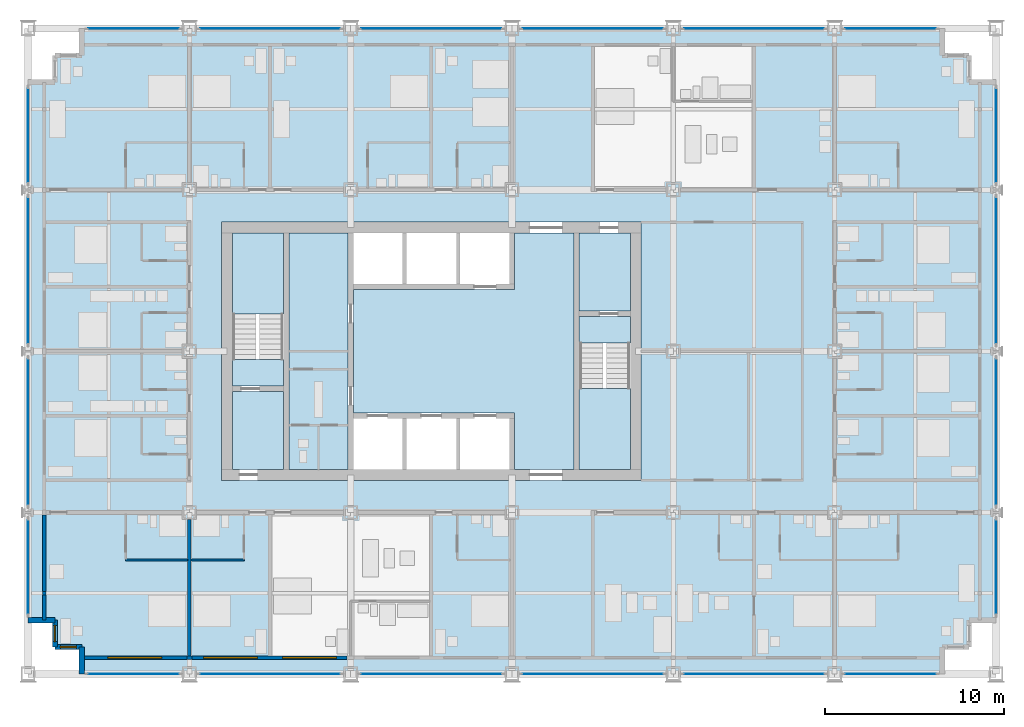
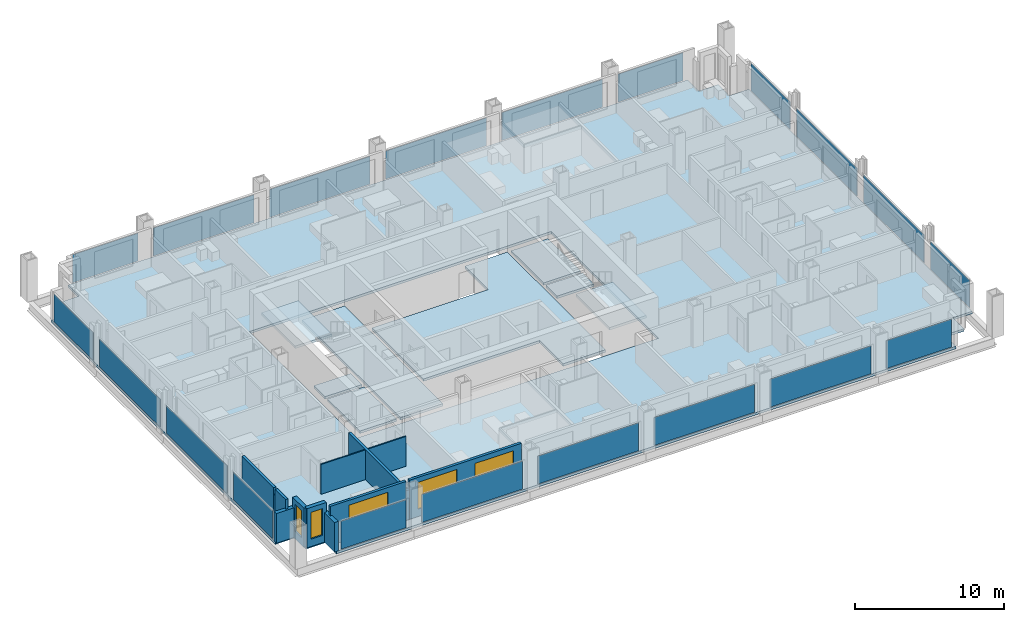
# One storey, part 9 of 18: 20 plates, 13 walls, 9 slabs, 5 windows, 5 openings, 22 elements without a shape of their own.
"""IFC4 building model written with IfcOpenShell, lengths in metres."""

import ifcopenshell
import ifcopenshell.guid

model = None  # the IFC model being written
_history = None  # IfcOwnerHistory: only IFC2X3 demands one
_inside = {}  # id of a spatial element -> (the spatial element, [elements in it])
_under = {}  # id of a project, library or spatial element -> (it, [spatial elements below it])
_declared = {}  # id of a project -> (the project, [libraries it declares])
_typed = {}  # id of a type object -> (the type object, [elements of that type])
_made_of = {}  # id of a material, layer set ... -> (it, [elements and type objects made of it])


def new_model(schema):
    """Start an empty IFC model of exactly this schema.

    Asked for "IFC4X3", IfcOpenShell would pick the latest addendum, in which some entities
    have other attributes; the version numbers below select the first issue.
    IFC2X3 requires an IfcOwnerHistory on every rooted entity: one is made here for all.
    """
    global model, _history
    if schema == "IFC4X3":
        model = ifcopenshell.file(schema_version=(4, 3, 0, 0))
    else:
        model = ifcopenshell.file(schema=schema)
    _inside.clear()
    _under.clear()
    _declared.clear()
    _typed.clear()
    _made_of.clear()
    _history = None
    if model.schema == "IFC2X3":
        org = make("IfcOrganization", Name="unknown")
        user = make(
            "IfcPersonAndOrganization",
            ThePerson=make("IfcPerson", FamilyName="unknown"),
            TheOrganization=org,
        )
        app = make(
            "IfcApplication",
            ApplicationDeveloper=org,
            Version="unknown",
            ApplicationFullName="unknown",
            ApplicationIdentifier="unknown",
        )
        _history = make(
            "IfcOwnerHistory",
            OwningUser=user,
            OwningApplication=app,
            ChangeAction="ADDED",
            CreationDate=0,
        )
    return model


def make(cls, **values):
    """One entity of the class cls with the attributes given. An attribute that is None is left unset."""
    return model.create_entity(
        cls, **{name: value for name, value in values.items() if value is not None}
    )


def rooted(cls, **values):
    """An entity with a GlobalId (a new one), such as an element, a storey or a relation."""
    return make(cls, GlobalId=ifcopenshell.guid.new(), OwnerHistory=_history, **values)


def si_unit(unit_type, name, prefix=None):
    """IfcSIUnit, for example si_unit("LENGTHUNIT", "METRE", prefix="MILLI")."""
    return make("IfcSIUnit", UnitType=unit_type, Prefix=prefix, Name=name)


def assignment(units):
    """IfcUnitAssignment: the units of a project."""
    return None if units is None else make("IfcUnitAssignment", Units=units)


def point(xyz):
    """IfcCartesianPoint."""
    return None if xyz is None else make("IfcCartesianPoint", Coordinates=xyz)


def direction(xyz):
    """IfcDirection."""
    return None if xyz is None else make("IfcDirection", DirectionRatios=xyz)


def frame(location, z_axis=None, x_axis=None):
    """IfcAxis2Placement3D, a coordinate frame: its origin and axes. An axis left out is left unset."""
    return make(
        "IfcAxis2Placement3D",
        Location=point(location),
        Axis=direction(z_axis),
        RefDirection=direction(x_axis),
    )


def frame_2d(location, x_axis=None):
    """IfcAxis2Placement2D, a coordinate frame in the plane: its origin and x axis."""
    return make(
        "IfcAxis2Placement2D", Location=point(location), RefDirection=direction(x_axis)
    )


def origin():
    """The frame at (0, 0, 0) with its axes left unset."""
    return frame((0.0, 0.0, 0.0))


def origin_2d():
    """The frame at (0, 0) in the plane with its x axis left unset."""
    return frame_2d((0.0, 0.0))


def place(relative_to, where):
    """IfcLocalPlacement: puts the frame where relative to a parent placement (None: the world)."""
    return make(
        "IfcLocalPlacement", PlacementRelTo=relative_to, RelativePlacement=where
    )


def context(
    kind, dimensions, precision=None, world=None, true_north=None, identifier=None
):
    """IfcGeometricRepresentationContext, for example the 3D "Model" context."""
    return make(
        "IfcGeometricRepresentationContext",
        ContextIdentifier=identifier,
        ContextType=kind,
        CoordinateSpaceDimension=dimensions,
        Precision=precision,
        WorldCoordinateSystem=world,
        TrueNorth=true_north,
    )


def subcontext(parent, identifier, kind, view, scale=None):
    """IfcGeometricRepresentationSubContext, for example "Body" below "Model"."""
    return make(
        "IfcGeometricRepresentationSubContext",
        ContextIdentifier=identifier,
        ContextType=kind,
        ParentContext=parent,
        TargetScale=scale,
        TargetView=view,
    )


def project(units=None, contexts=None):
    """IfcProject with its units and contexts."""
    return rooted(
        "IfcProject",
        Name="project",
        RepresentationContexts=contexts,
        UnitsInContext=assignment(units),
    )


def spatial(cls, under=None, at=None, **own):
    """A site, building, storey or space (cls), placed at a placement, below another one or the project."""
    s = rooted(cls, ObjectPlacement=at, **own)
    if under is not None:
        _under.setdefault(under.id(), (under, []))[1].append(s)
    return s


def polyline(points):
    """IfcPolyline through the points."""
    return make("IfcPolyline", Points=[point(p) for p in points])


def profile(cls, at=None, kind="AREA", **sizes):
    """A parametric profile (cls). Its sizes go by their IFC names, for example OverallWidth=200.0."""
    return make(cls, ProfileType=kind, Position=at, **sizes)


def rectangle(**sizes):
    """IfcRectangleProfileDef."""
    return profile("IfcRectangleProfileDef", **sizes)


def outline(outer, holes=None, kind="AREA"):
    """IfcArbitraryClosedProfileDef: a profile drawn as a closed curve; with holes, ...WithVoids."""
    if holes is None:
        return make("IfcArbitraryClosedProfileDef", ProfileType=kind, OuterCurve=outer)
    return make(
        "IfcArbitraryProfileDefWithVoids",
        ProfileType=kind,
        OuterCurve=outer,
        InnerCurves=holes,
    )


def extrude(swept, where, along, depth):
    """IfcExtrudedAreaSolid: the profile swept, set in the frame where, extruded along a direction by depth."""
    return make(
        "IfcExtrudedAreaSolid",
        SweptArea=swept,
        Position=where,
        ExtrudedDirection=direction(along),
        Depth=depth,
    )


def shape(context_of_items, identifier, shape_type, items):
    """IfcShapeRepresentation: the items that make up one representation, for example the "Body"."""
    return make(
        "IfcShapeRepresentation",
        ContextOfItems=context_of_items,
        RepresentationIdentifier=identifier,
        RepresentationType=shape_type,
        Items=items,
    )


def material(Name=None, Category=None):
    """IfcMaterial."""
    return make("IfcMaterial", Name=Name, Category=Category)


def layer(
    of_material, thickness, ventilated=None, Name=None, Category=None, Priority=None
):
    """IfcMaterialLayer: one layer of a wall or slab, of a material (None: an air gap)."""
    return make(
        "IfcMaterialLayer",
        Material=of_material,
        LayerThickness=thickness,
        IsVentilated=ventilated,
        Name=Name,
        Category=Category,
        Priority=Priority,
    )


def layer_set(layers, Name=None):
    """IfcMaterialLayerSet."""
    return make("IfcMaterialLayerSet", MaterialLayers=layers, LayerSetName=Name)


def made_of(thing, what):
    """Note that an element or type object is made of a material, layer set ...; save() writes the relation."""
    if what is not None:
        _made_of.setdefault(what.id(), (what, []))[1].append(thing)
    return thing


def type_object(cls, material=None, **own):
    """A type object (cls), such as IfcWallType, which elements share."""
    return made_of(rooted(cls, **own), material)


def element(
    cls,
    number,
    at=None,
    inside=None,
    cuts=None,
    type_object=None,
    material=None,
    context=None,
    identifier="Body",
    shape_type=None,
    held_by="IfcProductDefinitionShape",
    body=None,
    shapes=None,
    **own,
):
    """One element of the class cls, such as IfcWall. Its Tag is "e" and its number.

    at: its placement. inside: the storey or other place that contains it. cuts: it is an
    opening in that element (IfcRelVoidsElement). A single representation is given by context,
    identifier, shape_type and body (its items); several are given by shapes. held_by: the class
    of the entity that holds the representations. save() writes the other relations.
    """
    e = rooted(cls, Tag="e%d" % number, ObjectPlacement=at, **own)
    if body is not None:
        shapes = [shape(context, identifier, shape_type, body)]
    if shapes is not None:
        e.Representation = make(held_by, Representations=shapes)
    if inside is not None:
        _inside.setdefault(inside.id(), (inside, []))[1].append(e)
    if cuts is not None:
        rooted(
            "IfcRelVoidsElement", RelatingBuildingElement=cuts, RelatedOpeningElement=e
        )
    if type_object is not None:
        _typed.setdefault(type_object.id(), (type_object, []))[1].append(e)
    return made_of(e, material)


def fill(opening, filler):
    """IfcRelFillsElement: the door or window that sits in an opening."""
    return rooted(
        "IfcRelFillsElement",
        RelatingOpeningElement=opening,
        RelatedBuildingElement=filler,
    )


def aggregate(whole, parts):
    """IfcRelAggregates: a whole, such as a stair, and the parts it consists of."""
    return rooted("IfcRelAggregates", RelatingObject=whole, RelatedObjects=parts)


def save(model, path):
    """Write the relations noted so far, then the file.

    IfcRelAggregates (storeys below a building ...), IfcRelContainedInSpatialStructure (elements
    in a storey), IfcRelDefinesByType, IfcRelAssociatesMaterial and IfcRelDeclares: one each for
    every whole, place, type object, material and project.
    """
    for whole, parts in _under.values():
        aggregate(whole, parts)
    for where, things in _inside.values():
        rooted(
            "IfcRelContainedInSpatialStructure",
            RelatedElements=things,
            RelatingStructure=where,
        )
    for kind, things in _typed.values():
        rooted("IfcRelDefinesByType", RelatedObjects=things, RelatingType=kind)
    for what, things in _made_of.values():
        rooted("IfcRelAssociatesMaterial", RelatedObjects=things, RelatingMaterial=what)
    for by, libraries in _declared.values():
        rooted("IfcRelDeclares", RelatingContext=by, RelatedDefinitions=libraries)
    model.write(path)


model = new_model("IFC4")

# Units and contexts
model_context = context("Model", 3, precision=1e-05, world=origin(), true_north=direction((0.0, 1.0)))
body_context = subcontext(model_context, "Body", "Model", "MODEL_VIEW")
ifc_project = project(units=[si_unit("LENGTHUNIT", "METRE"), si_unit("AREAUNIT", "SQUARE_METRE"), si_unit("VOLUMEUNIT", "CUBIC_METRE"), si_unit("PLANEANGLEUNIT", "RADIAN"), si_unit("MASSUNIT", "GRAM", prefix="KILO")], contexts=[model_context])

# Site, building, storey
site_placement = place(None, origin())
site = spatial("IfcSite", under=ifc_project, at=site_placement, CompositionType="ELEMENT")
building_placement = place(site_placement, origin())
building = spatial("IfcBuilding", under=site, at=building_placement, Name="Loomwork Tower", CompositionType="ELEMENT")
storey_placement = place(building_placement, frame((0.0, 0.0, 51.800048828125)))
storey = spatial("IfcBuildingStorey", under=building, at=storey_placement, Name="L12", CompositionType="ELEMENT", Elevation=51.800048828125)

# Slabs
ifc_material_1 = material(Name="Concrete 5000 psi (34 MPa) on composite metal deck", Category="concrete")
ifc_layer_1 = layer(ifc_material_1, 0.199951171875)
ifc_layer_set_1 = layer_set([ifc_layer_1], Name="Floor slab 200")
slab_type_1 = type_object("IfcSlabType", Name="Floor slab 200", PredefinedType="FLOOR", material=ifc_layer_set_1)
slab_1_placement = place(storey_placement, frame((0.0, 0.0, -0.199951171875)))
element("IfcSlab", 1, at=slab_1_placement, inside=storey, type_object=slab_type_1, Name="Floor slab L12", PredefinedType="FLOOR", context=body_context, shape_type="SweptSolid", body=[
    extrude(outline(polyline([(3.0, 1.5), (1.5, 1.5), (1.5, 3.0), (0.0, 3.0), (0.0, 33.0), (1.5, 33.0), (1.5, 34.5), (3.0, 34.5), (3.0, 36.0), (51.0, 36.0), (51.0, 34.5), (52.5, 34.5), (52.5, 33.0), (54.0, 33.0), (54.0, 3.0), (52.5, 3.0), (52.5, 1.5), (51.0, 1.5), (51.0, 0.0), (3.0, 0.0), (3.0, 1.5)]), holes=[polyline([(10.800048828125, 11.39990234375), (10.800048828125, 11.39990234375), (10.800048828125, 10.800048828125), (34.199951171875, 10.800048828125), (34.199951171875, 11.39990234375), (34.199951171875, 11.39990234375), (34.199951171875, 24.60009765625), (34.199951171875, 25.199951171875), (10.800048828125, 25.199951171875), (10.800048828125, 24.60009765625), (10.800048828125, 11.39990234375)])]), origin(), (0.0, 0.0, 1.0), 0.199951171875),
])
slab_2_placement = place(storey_placement, frame((0.0, 0.0, -0.199951171875)))
element("IfcSlab", 2, at=slab_2_placement, inside=storey, type_object=slab_type_1, Name="Floor slab L12", PredefinedType="FLOOR", context=body_context, shape_type="SweptSolid", body=[
    extrude(outline(polyline([(30.449951171875, 24.60009765625), (30.449951171875, 11.39990234375), (27.14990234375, 11.39990234375), (27.14990234375, 14.25), (27.14990234375, 14.550048828125), (18.14990234375, 14.550048828125), (18.14990234375, 21.449951171875), (27.14990234375, 21.449951171875), (27.14990234375, 21.75), (27.14990234375, 24.60009765625), (30.449951171875, 24.60009765625)])), origin(), (0.0, 0.0, 1.0), 0.199951171875),
])
slab_3_placement = place(storey_placement, frame((0.0, 0.0, -0.199951171875)))
element("IfcSlab", 3, at=slab_3_placement, inside=storey, type_object=slab_type_1, Name="Floor slab L12", PredefinedType="FLOOR", context=body_context, shape_type="SweptSolid", body=[
    extrude(outline(polyline([(14.550048828125, 11.39990234375), (14.550048828125, 24.60009765625), (17.85009765625, 24.60009765625), (17.85009765625, 11.39990234375), (14.550048828125, 11.39990234375)])), origin(), (0.0, 0.0, 1.0), 0.199951171875),
])
slab_4_placement = place(storey_placement, frame((0.0, 0.0, -0.199951171875)))
element("IfcSlab", 4, at=slab_4_placement, inside=storey, type_object=slab_type_1, Name="Floor slab L12", PredefinedType="FLOOR", context=body_context, shape_type="SweptSolid", body=[
    extrude(outline(polyline([(33.60009765625, 20.25), (30.75, 20.25), (30.75, 24.60009765625), (33.60009765625, 24.60009765625), (33.60009765625, 20.25)])), origin(), (0.0, 0.0, 1.0), 0.199951171875),
])
slab_5_placement = place(storey_placement, frame((0.0, 0.0, -0.199951171875)))
element("IfcSlab", 5, at=slab_5_placement, inside=storey, type_object=slab_type_1, Name="Floor slab L12", PredefinedType="FLOOR", context=body_context, shape_type="SweptSolid", body=[
    extrude(outline(polyline([(14.25, 15.75), (14.25, 11.39990234375), (11.39990234375, 11.39990234375), (11.39990234375, 15.75), (14.25, 15.75)])), origin(), (0.0, 0.0, 1.0), 0.199951171875),
])

# Curtain wall, plate
ifc_material_2 = material(Name="Aluminium curtain wall frame", Category="aluminium")
curtain_wall_type = type_object("IfcCurtainWallType", Name="Outer skin glazing hotel", PredefinedType="NOTDEFINED", material=ifc_material_2)
curtain_wall_1_placement = place(storey_placement, origin())
curtain_wall_1 = element("IfcCurtainWall", 6, at=curtain_wall_1_placement, inside=storey, type_object=curtain_wall_type, Name="Outer skin glazing hotel cw/S-0", PredefinedType="NOTDEFINED")
ifc_material_3 = material(Name="Clear laminated glass", Category="glass")
ifc_layer_2 = layer(ifc_material_3, 0.02392578125)
ifc_layer_set_2 = layer_set([ifc_layer_2], Name="Outer skin glazing hotel panel")
plate_type = type_object("IfcPlateType", Name="Outer skin glazing hotel panel", PredefinedType="CURTAIN_PANEL", material=ifc_layer_set_2)
plate_1_placement = place(storey_placement, frame((5.875, 0.0, 0.06494140625), z_axis=(0.0, 0.0, 1.0), x_axis=(1.0, 0.0, 0.0)))
plate_1 = element("IfcPlate", 7, at=plate_1_placement, type_object=plate_type, Name="CW1 panel 1.1", PredefinedType="CURTAIN_PANEL", context=body_context, shape_type="SweptSolid", body=[
    extrude(rectangle(XDim=5.050048828125, YDim=0.02392578125, at=origin_2d()), origin(), (0.0, 0.0, 1.0), 2.290283203125),
])
aggregate(curtain_wall_1, [plate_1])

curtain_wall_2_placement = place(storey_placement, origin())
curtain_wall_2 = element("IfcCurtainWall", 8, at=curtain_wall_2_placement, inside=storey, type_object=curtain_wall_type, Name="Outer skin glazing hotel cw/S-9", PredefinedType="NOTDEFINED")
plate_2_placement = place(storey_placement, frame((13.5, 0.0, 0.06494140625), z_axis=(0.0, 0.0, 1.0), x_axis=(1.0, 0.0, 0.0)))
plate_2 = element("IfcPlate", 9, at=plate_2_placement, type_object=plate_type, Name="CW1 panel 1.1", PredefinedType="CURTAIN_PANEL", context=body_context, shape_type="SweptSolid", body=[
    extrude(rectangle(XDim=7.800048828125, YDim=0.02392578125, at=origin_2d()), origin(), (0.0, 0.0, 1.0), 2.290283203125),
])
aggregate(curtain_wall_2, [plate_2])

curtain_wall_3_placement = place(storey_placement, origin())
curtain_wall_3 = element("IfcCurtainWall", 10, at=curtain_wall_3_placement, inside=storey, type_object=curtain_wall_type, Name="Outer skin glazing hotel cw/S-18", PredefinedType="NOTDEFINED")
plate_3_placement = place(storey_placement, frame((22.5, 0.0, 0.06494140625), z_axis=(0.0, 0.0, 1.0), x_axis=(1.0, 0.0, 0.0)))
plate_3 = element("IfcPlate", 11, at=plate_3_placement, type_object=plate_type, Name="CW1 panel 1.1", PredefinedType="CURTAIN_PANEL", context=body_context, shape_type="SweptSolid", body=[
    extrude(rectangle(XDim=7.800048828125, YDim=0.02392578125, at=origin_2d()), origin(), (0.0, 0.0, 1.0), 2.290283203125),
])
aggregate(curtain_wall_3, [plate_3])

curtain_wall_4_placement = place(storey_placement, origin())
curtain_wall_4 = element("IfcCurtainWall", 12, at=curtain_wall_4_placement, inside=storey, type_object=curtain_wall_type, Name="Outer skin glazing hotel cw/S-27", PredefinedType="NOTDEFINED")
plate_4_placement = place(storey_placement, frame((31.5, 0.0, 0.06494140625), z_axis=(0.0, 0.0, 1.0), x_axis=(1.0, 0.0, 0.0)))
plate_4 = element("IfcPlate", 13, at=plate_4_placement, type_object=plate_type, Name="CW1 panel 1.1", PredefinedType="CURTAIN_PANEL", context=body_context, shape_type="SweptSolid", body=[
    extrude(rectangle(XDim=7.800048828125, YDim=0.02392578125, at=origin_2d()), origin(), (0.0, 0.0, 1.0), 2.290283203125),
])
aggregate(curtain_wall_4, [plate_4])

curtain_wall_5_placement = place(storey_placement, origin())
curtain_wall_5 = element("IfcCurtainWall", 14, at=curtain_wall_5_placement, inside=storey, type_object=curtain_wall_type, Name="Outer skin glazing hotel cw/S-36", PredefinedType="NOTDEFINED")
plate_5_placement = place(storey_placement, frame((40.5, 0.0, 0.06494140625), z_axis=(0.0, 0.0, 1.0), x_axis=(1.0, 0.0, 0.0)))
plate_5 = element("IfcPlate", 15, at=plate_5_placement, type_object=plate_type, Name="CW1 panel 1.1", PredefinedType="CURTAIN_PANEL", context=body_context, shape_type="SweptSolid", body=[
    extrude(rectangle(XDim=7.800048828125, YDim=0.02392578125, at=origin_2d()), origin(), (0.0, 0.0, 1.0), 2.290283203125),
])
aggregate(curtain_wall_5, [plate_5])

curtain_wall_6_placement = place(storey_placement, origin())
curtain_wall_6 = element("IfcCurtainWall", 16, at=curtain_wall_6_placement, inside=storey, type_object=curtain_wall_type, Name="Outer skin glazing hotel cw/S-45", PredefinedType="NOTDEFINED")
plate_6_placement = place(storey_placement, frame((48.125, 0.0, 0.06494140625), z_axis=(0.0, 0.0, 1.0), x_axis=(1.0, 0.0, 0.0)))
plate_6 = element("IfcPlate", 17, at=plate_6_placement, type_object=plate_type, Name="CW1 panel 1.1", PredefinedType="CURTAIN_PANEL", context=body_context, shape_type="SweptSolid", body=[
    extrude(rectangle(XDim=5.050048828125, YDim=0.02392578125, at=origin_2d()), origin(), (0.0, 0.0, 1.0), 2.290283203125),
])
aggregate(curtain_wall_6, [plate_6])

curtain_wall_7_placement = place(storey_placement, origin())
curtain_wall_7 = element("IfcCurtainWall", 18, at=curtain_wall_7_placement, inside=storey, type_object=curtain_wall_type, Name="Outer skin glazing hotel cw/N-0", PredefinedType="NOTDEFINED")
plate_7_placement = place(storey_placement, frame((5.875, 36.0, 0.06494140625), z_axis=(0.0, 0.0, 1.0), x_axis=(-1.0, 0.0, 0.0)))
plate_7 = element("IfcPlate", 19, at=plate_7_placement, type_object=plate_type, Name="CW1 panel 1.1", PredefinedType="CURTAIN_PANEL", context=body_context, shape_type="SweptSolid", body=[
    extrude(rectangle(XDim=5.050048828125, YDim=0.02392578125, at=origin_2d()), origin(), (0.0, 0.0, 1.0), 2.290283203125),
])
aggregate(curtain_wall_7, [plate_7])

curtain_wall_8_placement = place(storey_placement, origin())
curtain_wall_8 = element("IfcCurtainWall", 20, at=curtain_wall_8_placement, inside=storey, type_object=curtain_wall_type, Name="Outer skin glazing hotel cw/N-9", PredefinedType="NOTDEFINED")
plate_8_placement = place(storey_placement, frame((13.5, 36.0, 0.06494140625), z_axis=(0.0, 0.0, 1.0), x_axis=(-1.0, 0.0, 0.0)))
plate_8 = element("IfcPlate", 21, at=plate_8_placement, type_object=plate_type, Name="CW1 panel 1.1", PredefinedType="CURTAIN_PANEL", context=body_context, shape_type="SweptSolid", body=[
    extrude(rectangle(XDim=7.800048828125, YDim=0.02392578125, at=origin_2d()), origin(), (0.0, 0.0, 1.0), 2.290283203125),
])
aggregate(curtain_wall_8, [plate_8])

curtain_wall_9_placement = place(storey_placement, origin())
curtain_wall_9 = element("IfcCurtainWall", 22, at=curtain_wall_9_placement, inside=storey, type_object=curtain_wall_type, Name="Outer skin glazing hotel cw/N-18", PredefinedType="NOTDEFINED")
plate_9_placement = place(storey_placement, frame((22.5, 36.0, 0.06494140625), z_axis=(0.0, 0.0, 1.0), x_axis=(-1.0, 0.0, 0.0)))
plate_9 = element("IfcPlate", 23, at=plate_9_placement, type_object=plate_type, Name="CW1 panel 1.1", PredefinedType="CURTAIN_PANEL", context=body_context, shape_type="SweptSolid", body=[
    extrude(rectangle(XDim=7.800048828125, YDim=0.02392578125, at=origin_2d()), origin(), (0.0, 0.0, 1.0), 2.290283203125),
])
aggregate(curtain_wall_9, [plate_9])

curtain_wall_10_placement = place(storey_placement, origin())
curtain_wall_10 = element("IfcCurtainWall", 24, at=curtain_wall_10_placement, inside=storey, type_object=curtain_wall_type, Name="Outer skin glazing hotel cw/N-27", PredefinedType="NOTDEFINED")
plate_10_placement = place(storey_placement, frame((31.5, 36.0, 0.06494140625), z_axis=(0.0, 0.0, 1.0), x_axis=(-1.0, 0.0, 0.0)))
plate_10 = element("IfcPlate", 25, at=plate_10_placement, type_object=plate_type, Name="CW1 panel 1.1", PredefinedType="CURTAIN_PANEL", context=body_context, shape_type="SweptSolid", body=[
    extrude(rectangle(XDim=7.800048828125, YDim=0.02392578125, at=origin_2d()), origin(), (0.0, 0.0, 1.0), 2.290283203125),
])
aggregate(curtain_wall_10, [plate_10])

curtain_wall_11_placement = place(storey_placement, origin())
curtain_wall_11 = element("IfcCurtainWall", 26, at=curtain_wall_11_placement, inside=storey, type_object=curtain_wall_type, Name="Outer skin glazing hotel cw/N-36", PredefinedType="NOTDEFINED")
plate_11_placement = place(storey_placement, frame((40.5, 36.0, 0.06494140625), z_axis=(0.0, 0.0, 1.0), x_axis=(-1.0, 0.0, 0.0)))
plate_11 = element("IfcPlate", 27, at=plate_11_placement, type_object=plate_type, Name="CW1 panel 1.1", PredefinedType="CURTAIN_PANEL", context=body_context, shape_type="SweptSolid", body=[
    extrude(rectangle(XDim=7.800048828125, YDim=0.02392578125, at=origin_2d()), origin(), (0.0, 0.0, 1.0), 2.290283203125),
])
aggregate(curtain_wall_11, [plate_11])

curtain_wall_12_placement = place(storey_placement, origin())
curtain_wall_12 = element("IfcCurtainWall", 28, at=curtain_wall_12_placement, inside=storey, type_object=curtain_wall_type, Name="Outer skin glazing hotel cw/N-45", PredefinedType="NOTDEFINED")
plate_12_placement = place(storey_placement, frame((48.125, 36.0, 0.06494140625), z_axis=(0.0, 0.0, 1.0), x_axis=(-1.0, 0.0, 0.0)))
plate_12 = element("IfcPlate", 29, at=plate_12_placement, type_object=plate_type, Name="CW1 panel 1.1", PredefinedType="CURTAIN_PANEL", context=body_context, shape_type="SweptSolid", body=[
    extrude(rectangle(XDim=5.050048828125, YDim=0.02392578125, at=origin_2d()), origin(), (0.0, 0.0, 1.0), 2.290283203125),
])
aggregate(curtain_wall_12, [plate_12])

curtain_wall_13_placement = place(storey_placement, origin())
curtain_wall_13 = element("IfcCurtainWall", 30, at=curtain_wall_13_placement, inside=storey, type_object=curtain_wall_type, Name="Outer skin glazing hotel cw/W-0", PredefinedType="NOTDEFINED")
plate_13_placement = place(storey_placement, frame((0.0, 5.95556640625, 0.06494140625), z_axis=(0.0, 0.0, 1.0), x_axis=(0.0, -1.0, 0.0)))
plate_13 = element("IfcPlate", 31, at=plate_13_placement, type_object=plate_type, Name="CW1 panel 1.1", PredefinedType="CURTAIN_PANEL", context=body_context, shape_type="SweptSolid", body=[
    extrude(rectangle(XDim=5.211181640625, YDim=0.02392578125, at=origin_2d()), origin(), (0.0, 0.0, 1.0), 2.290283203125),
])
aggregate(curtain_wall_13, [plate_13])

curtain_wall_14_placement = place(storey_placement, origin())
curtain_wall_14 = element("IfcCurtainWall", 32, at=curtain_wall_14_placement, inside=storey, type_object=curtain_wall_type, Name="Outer skin glazing hotel cw/W-9", PredefinedType="NOTDEFINED")
plate_14_placement = place(storey_placement, frame((0.0, 13.5, 0.06494140625), z_axis=(0.0, 0.0, 1.0), x_axis=(0.0, -1.0, 0.0)))
plate_14 = element("IfcPlate", 33, at=plate_14_placement, type_object=plate_type, Name="CW1 panel 1.1", PredefinedType="CURTAIN_PANEL", context=body_context, shape_type="SweptSolid", body=[
    extrude(rectangle(XDim=8.122314453125, YDim=0.02392578125, at=origin_2d()), origin(), (0.0, 0.0, 1.0), 2.290283203125),
])
aggregate(curtain_wall_14, [plate_14])

curtain_wall_15_placement = place(storey_placement, origin())
curtain_wall_15 = element("IfcCurtainWall", 34, at=curtain_wall_15_placement, inside=storey, type_object=curtain_wall_type, Name="Outer skin glazing hotel cw/W-18", PredefinedType="NOTDEFINED")
plate_15_placement = place(storey_placement, frame((0.0, 22.5, 0.06494140625), z_axis=(0.0, 0.0, 1.0), x_axis=(0.0, -1.0, 0.0)))
plate_15 = element("IfcPlate", 35, at=plate_15_placement, type_object=plate_type, Name="CW1 panel 1.1", PredefinedType="CURTAIN_PANEL", context=body_context, shape_type="SweptSolid", body=[
    extrude(rectangle(XDim=8.122314453125, YDim=0.02392578125, at=origin_2d()), origin(), (0.0, 0.0, 1.0), 2.290283203125),
])
aggregate(curtain_wall_15, [plate_15])

curtain_wall_16_placement = place(storey_placement, origin())
curtain_wall_16 = element("IfcCurtainWall", 36, at=curtain_wall_16_placement, inside=storey, type_object=curtain_wall_type, Name="Outer skin glazing hotel cw/W-27", PredefinedType="NOTDEFINED")
plate_16_placement = place(storey_placement, frame((0.0, 30.04443359375, 0.06494140625), z_axis=(0.0, 0.0, 1.0), x_axis=(0.0, -1.0, 0.0)))
plate_16 = element("IfcPlate", 37, at=plate_16_placement, type_object=plate_type, Name="CW1 panel 1.1", PredefinedType="CURTAIN_PANEL", context=body_context, shape_type="SweptSolid", body=[
    extrude(rectangle(XDim=5.211181640625, YDim=0.02392578125, at=origin_2d()), origin(), (0.0, 0.0, 1.0), 2.290283203125),
])
aggregate(curtain_wall_16, [plate_16])

curtain_wall_17_placement = place(storey_placement, origin())
curtain_wall_17 = element("IfcCurtainWall", 38, at=curtain_wall_17_placement, inside=storey, type_object=curtain_wall_type, Name="Outer skin glazing hotel cw/E-0", PredefinedType="NOTDEFINED")
plate_17_placement = place(storey_placement, frame((54.0, 5.95556640625, 0.06494140625), z_axis=(0.0, 0.0, 1.0), x_axis=(0.0, 1.0, 0.0)))
plate_17 = element("IfcPlate", 39, at=plate_17_placement, type_object=plate_type, Name="CW1 panel 1.1", PredefinedType="CURTAIN_PANEL", context=body_context, shape_type="SweptSolid", body=[
    extrude(rectangle(XDim=5.211181640625, YDim=0.02392578125, at=origin_2d()), origin(), (0.0, 0.0, 1.0), 2.290283203125),
])
aggregate(curtain_wall_17, [plate_17])

curtain_wall_18_placement = place(storey_placement, origin())
curtain_wall_18 = element("IfcCurtainWall", 40, at=curtain_wall_18_placement, inside=storey, type_object=curtain_wall_type, Name="Outer skin glazing hotel cw/E-9", PredefinedType="NOTDEFINED")
plate_18_placement = place(storey_placement, frame((54.0, 13.5, 0.06494140625), z_axis=(0.0, 0.0, 1.0), x_axis=(0.0, 1.0, 0.0)))
plate_18 = element("IfcPlate", 41, at=plate_18_placement, type_object=plate_type, Name="CW1 panel 1.1", PredefinedType="CURTAIN_PANEL", context=body_context, shape_type="SweptSolid", body=[
    extrude(rectangle(XDim=8.122314453125, YDim=0.02392578125, at=origin_2d()), origin(), (0.0, 0.0, 1.0), 2.290283203125),
])
aggregate(curtain_wall_18, [plate_18])

curtain_wall_19_placement = place(storey_placement, origin())
curtain_wall_19 = element("IfcCurtainWall", 42, at=curtain_wall_19_placement, inside=storey, type_object=curtain_wall_type, Name="Outer skin glazing hotel cw/E-18", PredefinedType="NOTDEFINED")
plate_19_placement = place(storey_placement, frame((54.0, 22.5, 0.06494140625), z_axis=(0.0, 0.0, 1.0), x_axis=(0.0, 1.0, 0.0)))
plate_19 = element("IfcPlate", 43, at=plate_19_placement, type_object=plate_type, Name="CW1 panel 1.1", PredefinedType="CURTAIN_PANEL", context=body_context, shape_type="SweptSolid", body=[
    extrude(rectangle(XDim=8.122314453125, YDim=0.02392578125, at=origin_2d()), origin(), (0.0, 0.0, 1.0), 2.290283203125),
])
aggregate(curtain_wall_19, [plate_19])

curtain_wall_20_placement = place(storey_placement, origin())
curtain_wall_20 = element("IfcCurtainWall", 44, at=curtain_wall_20_placement, inside=storey, type_object=curtain_wall_type, Name="Outer skin glazing hotel cw/E-27", PredefinedType="NOTDEFINED")
plate_20_placement = place(storey_placement, frame((54.0, 30.04443359375, 0.06494140625), z_axis=(0.0, 0.0, 1.0), x_axis=(0.0, 1.0, 0.0)))
plate_20 = element("IfcPlate", 45, at=plate_20_placement, type_object=plate_type, Name="CW1 panel 1.1", PredefinedType="CURTAIN_PANEL", context=body_context, shape_type="SweptSolid", body=[
    extrude(rectangle(XDim=5.211181640625, YDim=0.02392578125, at=origin_2d()), origin(), (0.0, 0.0, 1.0), 2.290283203125),
])
aggregate(curtain_wall_20, [plate_20])

# Stair, slabs
ifc_material_4 = material(Name="Concrete 5000 psi (34 MPa) precast stair", Category="concrete")
stair_type_1 = type_object("IfcStairType", Name="Stair ST-A 20 risers 2850 wide", PredefinedType="HALF_TURN_STAIR", material=ifc_material_4)
stair_1_placement = place(storey_placement, origin())
stair_1 = element("IfcStair", 46, at=stair_1_placement, inside=storey, type_object=stair_type_1, Name="Stair A L12", PredefinedType="HALF_TURN_STAIR")
ifc_material_5 = material(Name="Concrete 5000 psi (34 MPa)", Category="concrete")
ifc_layer_3 = layer(ifc_material_5, 0.199951171875)
ifc_layer_set_3 = layer_set([ifc_layer_3], Name="Stair landing 200")
slab_type_2 = type_object("IfcSlabType", Name="Stair landing 200", PredefinedType="LANDING", material=ifc_layer_set_3)
slab_6_placement = place(storey_placement, frame((0.0, 0.0, -0.199951171875)))
slab_6 = element("IfcSlab", 47, at=slab_6_placement, type_object=slab_type_2, Name="ST-A landing 1", PredefinedType="LANDING", context=body_context, shape_type="SweptSolid", body=[
    extrude(outline(polyline([(11.39990234375, 16.050048828125), (14.25, 16.050048828125), (14.25, 17.550048828125), (11.39990234375, 17.550048828125), (11.39990234375, 16.050048828125)])), origin(), (0.0, 0.0, 1.0), 0.199951171875),
])
slab_7_placement = place(storey_placement, frame((0.0, 0.0, 1.5)))
slab_7 = element("IfcSlab", 48, at=slab_7_placement, type_object=slab_type_2, Name="ST-A landing 2", PredefinedType="LANDING", context=body_context, shape_type="SweptSolid", body=[
    extrude(outline(polyline([(11.39990234375, 20.070068359375), (14.25, 20.070068359375), (14.25, 24.60009765625), (11.39990234375, 24.60009765625), (11.39990234375, 20.070068359375)])), origin(), (0.0, 0.0, 1.0), 0.199951171875),
])
aggregate(stair_1, [slab_6, slab_7])

ifc_material_6 = material(Name="Concrete 5000 psi (34 MPa) precast stair", Category="concrete")
stair_type_2 = type_object("IfcStairType", Name="Stair ST-B 20 risers 2850 wide", PredefinedType="HALF_TURN_STAIR", material=ifc_material_6)
stair_2_placement = place(storey_placement, origin())
stair_2 = element("IfcStair", 49, at=stair_2_placement, inside=storey, type_object=stair_type_2, Name="Stair B L12", PredefinedType="HALF_TURN_STAIR")
slab_8_placement = place(storey_placement, frame((0.0, 0.0, -0.199951171875)))
slab_8 = element("IfcSlab", 50, at=slab_8_placement, type_object=slab_type_2, Name="ST-B landing 1", PredefinedType="LANDING", context=body_context, shape_type="SweptSolid", body=[
    extrude(outline(polyline([(30.75, 18.449951171875), (33.60009765625, 18.449951171875), (33.60009765625, 19.949951171875), (30.75, 19.949951171875), (30.75, 18.449951171875)])), origin(), (0.0, 0.0, 1.0), 0.199951171875),
])
slab_9_placement = place(storey_placement, frame((0.0, 0.0, 1.5)))
slab_9 = element("IfcSlab", 51, at=slab_9_placement, type_object=slab_type_2, Name="ST-B landing 2", PredefinedType="LANDING", context=body_context, shape_type="SweptSolid", body=[
    extrude(outline(polyline([(30.75, 11.39990234375), (33.60009765625, 11.39990234375), (33.60009765625, 15.929931640625), (30.75, 15.929931640625), (30.75, 11.39990234375)])), origin(), (0.0, 0.0, 1.0), 0.199951171875),
])
aggregate(stair_2, [slab_8, slab_9])

# Walls
ifc_material_7 = material(Name="Cement board on steel studs", Category="steel")
ifc_layer_4 = layer(ifc_material_7, 0.10009765625)
ifc_layer_set_4 = layer_set([ifc_layer_4], Name="En-suite partition 100")
wall_type_1 = type_object("IfcWallType", Name="En-suite partition 100", PredefinedType="PARTITIONING", material=ifc_layer_set_4)
wall_1_placement = place(storey_placement, frame((5.449951171875, 6.35009765625, 0.0), z_axis=(0.0, 0.0, 1.0), x_axis=(1.0, 0.0, 0.0)))
element("IfcWall", 52, at=wall_1_placement, inside=storey, type_object=wall_type_1, Name="En-suite wall L12 room 1", PredefinedType="PARTITIONING", context=body_context, shape_type="SweptSolid", body=[
    extrude(rectangle(XDim=3.449951171875, YDim=0.10009765625, at=frame_2d((1.72509765625, 0.0))), origin(), (0.0, 0.0, 1.0), 2.43798828125),
])
wall_2_placement = place(storey_placement, frame((9.10009765625, 6.35009765625, 0.0), z_axis=(0.0, 0.0, 1.0), x_axis=(1.0, 0.0, 0.0)))
element("IfcWall", 53, at=wall_2_placement, inside=storey, type_object=wall_type_1, Name="En-suite wall L12 room 2", PredefinedType="PARTITIONING", context=body_context, shape_type="SweptSolid", body=[
    extrude(rectangle(XDim=2.949951171875, YDim=0.10009765625, at=frame_2d((1.47509765625, 0.0))), origin(), (0.0, 0.0, 1.0), 2.43798828125),
])
ifc_material_8 = material(Name="Gypsum board on steel studs, acoustic", Category="steel")
ifc_layer_5 = layer(ifc_material_8, 0.199951171875)
ifc_layer_set_5 = layer_set([ifc_layer_5], Name="Guest room party wall 200")
wall_type_2 = type_object("IfcWallType", Name="Guest room party wall 200", PredefinedType="PARTITIONING", material=ifc_layer_set_5)
wall_3_placement = place(storey_placement, frame((9.0, 8.60009765625, 0.0), z_axis=(0.0, 0.0, 1.0), x_axis=(0.0, -1.0, 0.0)))
element("IfcWall", 54, at=wall_3_placement, inside=storey, type_object=wall_type_2, Name="Guest room party wall S 9", PredefinedType="PARTITIONING", context=body_context, shape_type="SweptSolid", body=[
    extrude(rectangle(XDim=7.60009765625, YDim=0.199951171875, at=frame_2d((3.800048828125, 0.0))), origin(), (0.0, 0.0, 1.0), 2.43798828125),
])

# Wall, opening, window
ifc_material_9 = material(Name="Insulated steel stud wall with gypsum lining", Category="steel")
ifc_layer_6 = layer(ifc_material_9, 0.199951171875)
ifc_layer_set_6 = layer_set([ifc_layer_6], Name="Inner skin wall 200")
wall_type_3 = type_object("IfcWallType", Name="Inner skin wall 200", PredefinedType="SOLIDWALL", material=ifc_layer_set_6)
wall_4_placement = place(storey_placement, frame((3.0, 0.89990234375, 0.0), z_axis=(0.0, 0.0, 1.0), x_axis=(1.0, 0.0, 0.0)))
wall_4 = element("IfcWall", 55, at=wall_4_placement, inside=storey, type_object=wall_type_3, Name="Inner skin wall S", PredefinedType="SOLIDWALL", context=body_context, shape_type="SweptSolid", body=[
    extrude(rectangle(XDim=5.86474609375, YDim=0.199951171875, at=frame_2d((2.932373046875, 0.0))), origin(), (0.0, 0.0, 1.0), 3.199951171875),
])
opening_1_placement = place(wall_4_placement, frame((1.449951171875, 0.0, 0.60009765625)))
opening_1 = element("IfcOpeningElement", 56, at=opening_1_placement, cuts=wall_4, Name="Opening CH1", PredefinedType="OPENING", context=body_context, shape_type="SweptSolid", body=[
    extrude(rectangle(XDim=3.0, YDim=2.199951171875, at=frame_2d((1.5, 1.10009765625))), frame((0.0, 0.10986328125, 0.0), z_axis=(0.0, -1.0, 0.0), x_axis=(1.0, 0.0, 0.0)), (0.0, 0.0, 1.0), 0.219970703125),
])
ifc_material_10 = material(Name="Aluminium frame with clear insulated glass", Category="aluminium")
window_type_1 = type_object("IfcWindowType", Name="Chicago window 3000", PartitioningType="TRIPLE_PANEL_VERTICAL", PredefinedType="WINDOW", material=ifc_material_10)
window_1_placement = place(opening_1_placement, origin())
window_1 = element("IfcWindow", 57, at=window_1_placement, inside=storey, type_object=window_type_1, Name="Chicago window L12 bay 1", OverallHeight=2.199951171875, OverallWidth=3.0, PartitioningType="TRIPLE_PANEL_VERTICAL", PredefinedType="WINDOW", context=body_context, shape_type="SweptSolid", body=[
    extrude(rectangle(XDim=3.0, YDim=2.199951171875, at=frame_2d((1.5, 1.10009765625))), frame((0.0, 0.030029296875, 0.0), z_axis=(0.0, -1.0, 0.0), x_axis=(1.0, 0.0, 0.0)), (0.0, 0.0, 1.0), 0.06005859375),
])
fill(opening_1, window_1)

# Walls
wall_5_placement = place(storey_placement, frame((0.89990234375, 3.0, 0.0), z_axis=(0.0, 0.0, 1.0), x_axis=(0.0, 1.0, 0.0)))
element("IfcWall", 58, at=wall_5_placement, inside=storey, type_object=wall_type_3, Name="Inner skin wall W", PredefinedType="SOLIDWALL", context=body_context, shape_type="SweptSolid", body=[
    extrude(rectangle(XDim=1.392578125, YDim=0.199951171875, at=frame_2d((0.6962890625, 0.0))), origin(), (0.0, 0.0, 1.0), 3.199951171875),
])
wall_6_placement = place(storey_placement, frame((8.86474609375, 0.89990234375, 0.0), z_axis=(0.0, 0.0, 1.0), x_axis=(1.0, 0.0, 0.0)))
element("IfcWall", 59, at=wall_6_placement, inside=storey, type_object=wall_type_3, Name="Inner skin wall S bay 2", PredefinedType="SOLIDWALL", context=body_context, shape_type="SweptSolid", body=[
    extrude(rectangle(XDim=0.2705078125, YDim=0.199951171875, at=frame_2d((0.13525390625, 0.0))), origin(), (0.0, 0.0, 1.0), 2.43798828125),
])

# Wall, openings, windows
wall_7_placement = place(storey_placement, frame((9.13525390625, 0.89990234375, 0.0), z_axis=(0.0, 0.0, 1.0), x_axis=(1.0, 0.0, 0.0)))
wall_7 = element("IfcWall", 60, at=wall_7_placement, inside=storey, type_object=wall_type_3, Name="Inner skin wall S bay 3", PredefinedType="SOLIDWALL", context=body_context, shape_type="SweptSolid", body=[
    extrude(rectangle(XDim=8.6708984375, YDim=0.199951171875, at=frame_2d((4.33544921875, 0.0))), origin(), (0.0, 0.0, 1.0), 3.199951171875),
])
opening_2_placement = place(wall_7_placement, frame((0.664794921875, 0.0, 0.60009765625)))
opening_2 = element("IfcOpeningElement", 61, at=opening_2_placement, cuts=wall_7, Name="Opening CH1", PredefinedType="OPENING", context=body_context, shape_type="SweptSolid", body=[
    extrude(rectangle(XDim=3.0, YDim=2.199951171875, at=frame_2d((1.5, 1.10009765625))), frame((0.0, 0.10986328125, 0.0), z_axis=(0.0, -1.0, 0.0), x_axis=(1.0, 0.0, 0.0)), (0.0, 0.0, 1.0), 0.219970703125),
])
opening_3_placement = place(wall_7_placement, frame((5.064697265625, 0.0, 0.60009765625)))
opening_3 = element("IfcOpeningElement", 62, at=opening_3_placement, cuts=wall_7, Name="Opening CH1", PredefinedType="OPENING", context=body_context, shape_type="SweptSolid", body=[
    extrude(rectangle(XDim=3.0, YDim=2.199951171875, at=frame_2d((1.5, 1.10009765625))), frame((0.0, 0.10986328125, 0.0), z_axis=(0.0, -1.0, 0.0), x_axis=(1.0, 0.0, 0.0)), (0.0, 0.0, 1.0), 0.219970703125),
])
window_2_placement = place(opening_2_placement, origin())
window_2 = element("IfcWindow", 63, at=window_2_placement, inside=storey, type_object=window_type_1, Name="Chicago window L12 bay 2", OverallHeight=2.199951171875, OverallWidth=3.0, PartitioningType="TRIPLE_PANEL_VERTICAL", PredefinedType="WINDOW", context=body_context, shape_type="SweptSolid", body=[
    extrude(rectangle(XDim=3.0, YDim=2.199951171875, at=frame_2d((1.5, 1.10009765625))), frame((0.0, 0.030029296875, 0.0), z_axis=(0.0, -1.0, 0.0), x_axis=(1.0, 0.0, 0.0)), (0.0, 0.0, 1.0), 0.06005859375),
])
fill(opening_2, window_2)
window_3_placement = place(opening_3_placement, origin())
window_3 = element("IfcWindow", 64, at=window_3_placement, inside=storey, type_object=window_type_1, Name="Chicago window L12 bay 2", OverallHeight=2.199951171875, OverallWidth=3.0, PartitioningType="TRIPLE_PANEL_VERTICAL", PredefinedType="WINDOW", context=body_context, shape_type="SweptSolid", body=[
    extrude(rectangle(XDim=3.0, YDim=2.199951171875, at=frame_2d((1.5, 1.10009765625))), frame((0.0, 0.030029296875, 0.0), z_axis=(0.0, -1.0, 0.0), x_axis=(1.0, 0.0, 0.0)), (0.0, 0.0, 1.0), 0.06005859375),
])
fill(opening_3, window_3)

# Walls
wall_8_placement = place(storey_placement, frame((0.89990234375, 4.392578125, 0.0), z_axis=(0.0, 0.0, 1.0), x_axis=(0.0, 1.0, 0.0)))
element("IfcWall", 65, at=wall_8_placement, inside=storey, type_object=wall_type_3, Name="Inner skin wall W bay 2", PredefinedType="SOLIDWALL", context=body_context, shape_type="SweptSolid", body=[
    extrude(rectangle(XDim=0.21484375, YDim=0.199951171875, at=frame_2d((0.107421875, 0.0))), origin(), (0.0, 0.0, 1.0), 2.660888671875),
])
wall_9_placement = place(storey_placement, frame((0.89990234375, 4.607421875, 0.0), z_axis=(0.0, 0.0, 1.0), x_axis=(0.0, 1.0, 0.0)))
element("IfcWall", 66, at=wall_9_placement, inside=storey, type_object=wall_type_3, Name="Inner skin wall W bay 3", PredefinedType="SOLIDWALL", context=body_context, shape_type="SweptSolid", body=[
    extrude(rectangle(XDim=4.25732421875, YDim=0.199951171875, at=frame_2d((2.128662109375, 0.0))), origin(), (0.0, 0.0, 1.0), 3.199951171875),
])
ifc_material_11 = material(Name="Limestone on concrete masonry", Category="masonry")
ifc_layer_7 = layer(ifc_material_11, 0.300048828125)
ifc_layer_set_7 = layer_set([ifc_layer_7], Name="Limestone corner wall 300")
wall_type_4 = type_object("IfcWallType", Name="Limestone corner wall 300", PredefinedType="SOLIDWALL", material=ifc_layer_set_7)
wall_10_placement = place(storey_placement, frame((0.0, 3.0, 0.0), z_axis=(0.0, 0.0, 1.0), x_axis=(1.0, 0.0, 0.0)))
element("IfcWall", 67, at=wall_10_placement, inside=storey, type_object=wall_type_4, Name="Stone corner wall SW 1", PredefinedType="SOLIDWALL", context=body_context, shape_type="SweptSolid", body=[
    extrude(rectangle(XDim=1.5, YDim=0.300048828125, at=frame_2d((0.75, 0.0))), origin(), (0.0, 0.0, 1.0), 2.419921875),
])

# Wall, opening, window
wall_11_placement = place(storey_placement, frame((1.5, 3.0, 0.0), z_axis=(0.0, 0.0, 1.0), x_axis=(0.0, -1.0, 0.0)))
wall_11 = element("IfcWall", 68, at=wall_11_placement, inside=storey, type_object=wall_type_4, Name="Stone corner wall SW 2", PredefinedType="SOLIDWALL", context=body_context, shape_type="SweptSolid", body=[
    extrude(rectangle(XDim=1.5, YDim=0.300048828125, at=frame_2d((0.75, 0.0))), origin(), (0.0, 0.0, 1.0), 3.199951171875),
])
opening_4_placement = place(wall_11_placement, frame((0.300048828125, 0.0, 0.60009765625)))
opening_4 = element("IfcOpeningElement", 69, at=opening_4_placement, cuts=wall_11, Name="Opening CH2", PredefinedType="OPENING", context=body_context, shape_type="SweptSolid", body=[
    extrude(rectangle(XDim=0.89990234375, YDim=2.199951171875, at=frame_2d((0.449951171875, 1.10009765625))), frame((0.0, 0.159912109375, 0.0), z_axis=(0.0, -1.0, 0.0), x_axis=(1.0, 0.0, 0.0)), (0.0, 0.0, 1.0), 0.320068359375),
])
ifc_material_12 = material(Name="Aluminium frame with clear insulated glass", Category="aluminium")
window_type_2 = type_object("IfcWindowType", Name="Corner window 900", PartitioningType="SINGLE_PANEL", PredefinedType="WINDOW", material=ifc_material_12)
window_4_placement = place(opening_4_placement, origin())
window_4 = element("IfcWindow", 70, at=window_4_placement, inside=storey, type_object=window_type_2, Name="Corner window SW", OverallHeight=2.199951171875, OverallWidth=0.89990234375, PartitioningType="SINGLE_PANEL", PredefinedType="WINDOW", context=body_context, shape_type="SweptSolid", body=[
    extrude(rectangle(XDim=0.89990234375, YDim=2.199951171875, at=frame_2d((0.449951171875, 1.10009765625))), frame((0.0, 0.030029296875, 0.0), z_axis=(0.0, -1.0, 0.0), x_axis=(1.0, 0.0, 0.0)), (0.0, 0.0, 1.0), 0.06005859375),
])
fill(opening_4, window_4)

wall_12_placement = place(storey_placement, frame((1.5, 1.5, 0.0), z_axis=(0.0, 0.0, 1.0), x_axis=(1.0, 0.0, 0.0)))
wall_12 = element("IfcWall", 71, at=wall_12_placement, inside=storey, type_object=wall_type_4, Name="Stone corner wall SW 3", PredefinedType="SOLIDWALL", context=body_context, shape_type="SweptSolid", body=[
    extrude(rectangle(XDim=1.5, YDim=0.300048828125, at=frame_2d((0.75, 0.0))), origin(), (0.0, 0.0, 1.0), 3.199951171875),
])
opening_5_placement = place(wall_12_placement, frame((0.300048828125, 0.0, 0.60009765625)))
opening_5 = element("IfcOpeningElement", 72, at=opening_5_placement, cuts=wall_12, Name="Opening CH2", PredefinedType="OPENING", context=body_context, shape_type="SweptSolid", body=[
    extrude(rectangle(XDim=0.89990234375, YDim=2.199951171875, at=frame_2d((0.449951171875, 1.10009765625))), frame((0.0, 0.159912109375, 0.0), z_axis=(0.0, -1.0, 0.0), x_axis=(1.0, 0.0, 0.0)), (0.0, 0.0, 1.0), 0.320068359375),
])
window_5_placement = place(opening_5_placement, origin())
window_5 = element("IfcWindow", 73, at=window_5_placement, inside=storey, type_object=window_type_2, Name="Corner window SW", OverallHeight=2.199951171875, OverallWidth=0.89990234375, PartitioningType="SINGLE_PANEL", PredefinedType="WINDOW", context=body_context, shape_type="SweptSolid", body=[
    extrude(rectangle(XDim=0.89990234375, YDim=2.199951171875, at=frame_2d((0.449951171875, 1.10009765625))), frame((0.0, 0.030029296875, 0.0), z_axis=(0.0, -1.0, 0.0), x_axis=(1.0, 0.0, 0.0)), (0.0, 0.0, 1.0), 0.06005859375),
])
fill(opening_5, window_5)

# Wall
wall_13_placement = place(storey_placement, frame((3.0, 1.5, 0.0), z_axis=(0.0, 0.0, 1.0), x_axis=(0.0, -1.0, 0.0)))
element("IfcWall", 74, at=wall_13_placement, inside=storey, type_object=wall_type_4, Name="Stone corner wall SW 4", PredefinedType="SOLIDWALL", context=body_context, shape_type="SweptSolid", body=[
    extrude(rectangle(XDim=1.5, YDim=0.300048828125, at=frame_2d((0.75, 0.0))), origin(), (0.0, 0.0, 1.0), 2.419921875),
])

save(model, "model.ifc")
